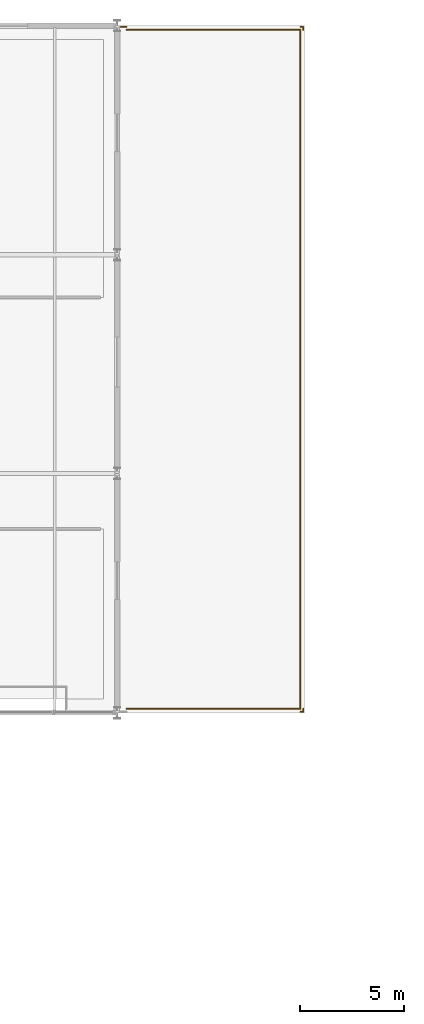
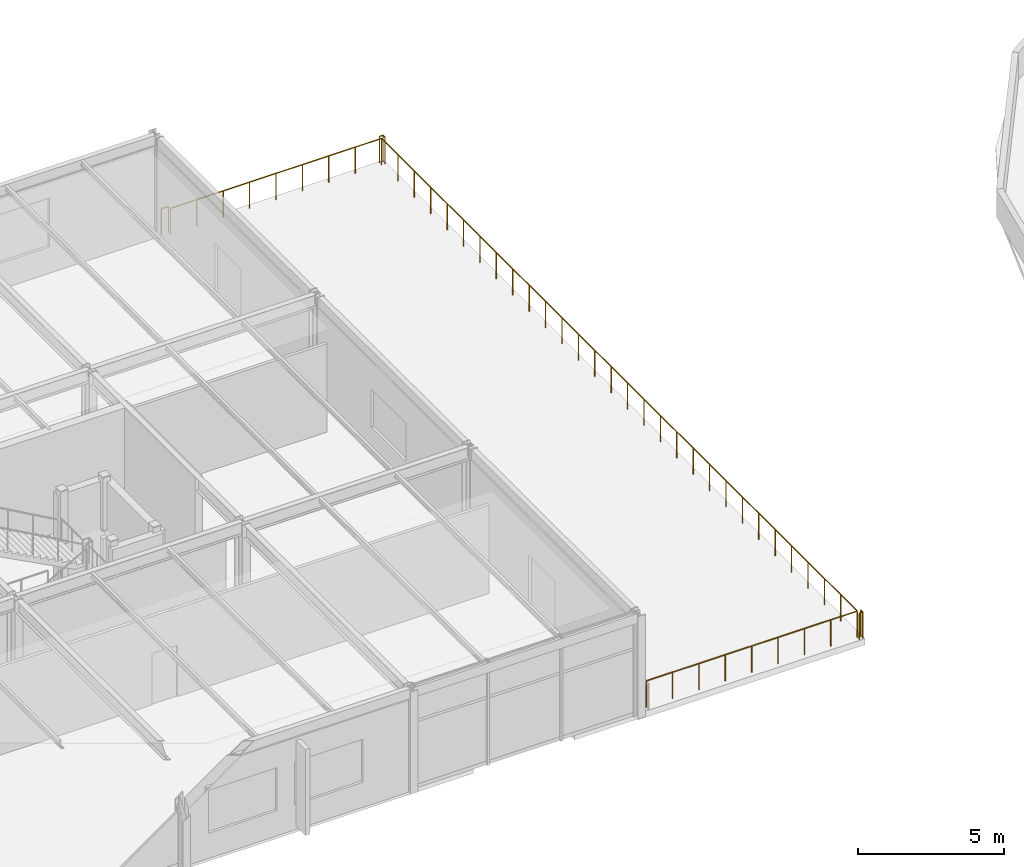
# One storey, part 44 of 44: 5 railings.
"""IFC4 building model written with IfcOpenShell, lengths in metres."""

from ifc_helpers import new_model, si_unit, direction, frame, origin, origin_2d, place, context, subcontext, project, spatial, circle, extrude, material, type_object, element, save


model = new_model("IFC4")

# Units and contexts
model_context = context("Model", 3, precision=1e-05, world=origin(), true_north=direction((0.0, 1.0)))
body_context = subcontext(model_context, "Body", "Model", "MODEL_VIEW")
ifc_project = project(units=[si_unit("LENGTHUNIT", "METRE"), si_unit("AREAUNIT", "SQUARE_METRE"), si_unit("VOLUMEUNIT", "CUBIC_METRE"), si_unit("PLANEANGLEUNIT", "RADIAN"), si_unit("MASSUNIT", "GRAM", prefix="KILO")], contexts=[model_context])

# Site, building, storey
site_placement = place(None, origin())
site = spatial("IfcSite", under=ifc_project, at=site_placement, CompositionType="ELEMENT")
building_placement = place(site_placement, origin())
building = spatial("IfcBuilding", under=site, at=building_placement, Name="Marlcrest Central Station", CompositionType="ELEMENT")
storey_placement = place(building_placement, frame((0.0, 0.0, 19.5)))
storey = spatial("IfcBuildingStorey", under=building, at=storey_placement, Name="L04", CompositionType="ELEMENT", Elevation=19.5)

# Railings
ifc_material = material(Name="Galvanized painted steel balustrade", Category="steel")
railing_type = type_object("IfcRailingType", Name="GR-01", PredefinedType="GUARDRAIL", material=ifc_material)
railing_1_placement = place(storey_placement, frame((63.449951171875, 99.199951171875, 0.0)))
element("IfcRailing", 1, at=railing_1_placement, inside=storey, type_object=railing_type, Name="grd-L04-0003", PredefinedType="GUARDRAIL", context=body_context, shape_type="SweptSolid", body=[
    extrude(circle(Radius=0.02392578125, at=origin_2d()), frame((0.0, 0.0, 1.09619140625), z_axis=(1.0, 0.0, 0.0), x_axis=(0.0, 1.0, 0.0)), (0.0, 0.0, 1.0), 8.35009765625),
    extrude(circle(Radius=0.02392578125, at=origin_2d()), frame((8.35009765625, 0.0, 1.09619140625), z_axis=(0.0, 1.0, 0.0), x_axis=(-1.0, 0.0, 0.0)), (0.0, 0.0, 1.0), 32.60009765625),
    extrude(circle(Radius=0.02392578125, at=origin_2d()), frame((8.35009765625, 32.60009765625, 1.09619140625), z_axis=(-1.0, 0.0, 0.0), x_axis=(0.0, -1.0, 0.0)), (0.0, 0.0, 1.0), 8.35009765625),
    extrude(circle(Radius=0.02099609375, at=origin_2d()), origin(), (0.0, 0.0, 1.0), 1.072021484375),
    extrude(circle(Radius=0.02099609375, at=origin_2d()), frame((1.043701171875, 0.0, 0.0)), (0.0, 0.0, 1.0), 1.072021484375),
    extrude(circle(Radius=0.02099609375, at=origin_2d()), frame((2.08740234375, 0.0, 0.0)), (0.0, 0.0, 1.0), 1.072021484375),
    extrude(circle(Radius=0.02099609375, at=origin_2d()), frame((3.13134765625, 0.0, 0.0)), (0.0, 0.0, 1.0), 1.072021484375),
    extrude(circle(Radius=0.02099609375, at=origin_2d()), frame((4.175048828125, 0.0, 0.0)), (0.0, 0.0, 1.0), 1.072021484375),
    extrude(circle(Radius=0.02099609375, at=origin_2d()), frame((5.21875, 0.0, 0.0)), (0.0, 0.0, 1.0), 1.072021484375),
    extrude(circle(Radius=0.02099609375, at=origin_2d()), frame((6.2626953125, 0.0, 0.0)), (0.0, 0.0, 1.0), 1.072021484375),
    extrude(circle(Radius=0.02099609375, at=origin_2d()), frame((7.306396484375, 0.0, 0.0)), (0.0, 0.0, 1.0), 1.072021484375),
    extrude(circle(Radius=0.02099609375, at=origin_2d()), frame((8.35009765625, 0.0, 0.0)), (0.0, 0.0, 1.0), 1.072021484375),
    extrude(circle(Radius=0.02099609375, at=origin_2d()), frame((8.35009765625, 1.1240234375, 0.0)), (0.0, 0.0, 1.0), 1.072021484375),
    extrude(circle(Radius=0.02099609375, at=origin_2d()), frame((8.35009765625, 2.248291015625, 0.0)), (0.0, 0.0, 1.0), 1.072021484375),
    extrude(circle(Radius=0.02099609375, at=origin_2d()), frame((8.35009765625, 3.372314453125, 0.0)), (0.0, 0.0, 1.0), 1.072021484375),
    extrude(circle(Radius=0.02099609375, at=origin_2d()), frame((8.35009765625, 4.49658203125, 0.0)), (0.0, 0.0, 1.0), 1.072021484375),
    extrude(circle(Radius=0.02099609375, at=origin_2d()), frame((8.35009765625, 5.62060546875, 0.0)), (0.0, 0.0, 1.0), 1.072021484375),
    extrude(circle(Radius=0.02099609375, at=origin_2d()), frame((8.35009765625, 6.744873046875, 0.0)), (0.0, 0.0, 1.0), 1.072021484375),
    extrude(circle(Radius=0.02099609375, at=origin_2d()), frame((8.35009765625, 7.868896484375, 0.0)), (0.0, 0.0, 1.0), 1.072021484375),
    extrude(circle(Radius=0.02099609375, at=origin_2d()), frame((8.35009765625, 8.9931640625, 0.0)), (0.0, 0.0, 1.0), 1.072021484375),
    extrude(circle(Radius=0.02099609375, at=origin_2d()), frame((8.35009765625, 10.1171875, 0.0)), (0.0, 0.0, 1.0), 1.072021484375),
    extrude(circle(Radius=0.02099609375, at=origin_2d()), frame((8.35009765625, 11.241455078125, 0.0)), (0.0, 0.0, 1.0), 1.072021484375),
    extrude(circle(Radius=0.02099609375, at=origin_2d()), frame((8.35009765625, 12.365478515625, 0.0)), (0.0, 0.0, 1.0), 1.072021484375),
    extrude(circle(Radius=0.02099609375, at=origin_2d()), frame((8.35009765625, 13.48974609375, 0.0)), (0.0, 0.0, 1.0), 1.072021484375),
    extrude(circle(Radius=0.02099609375, at=origin_2d()), frame((8.35009765625, 14.61376953125, 0.0)), (0.0, 0.0, 1.0), 1.072021484375),
    extrude(circle(Radius=0.02099609375, at=origin_2d()), frame((8.35009765625, 15.738037109375, 0.0)), (0.0, 0.0, 1.0), 1.072021484375),
    extrude(circle(Radius=0.02099609375, at=origin_2d()), frame((8.35009765625, 16.862060546875, 0.0)), (0.0, 0.0, 1.0), 1.072021484375),
    extrude(circle(Radius=0.02099609375, at=origin_2d()), frame((8.35009765625, 17.986328125, 0.0)), (0.0, 0.0, 1.0), 1.072021484375),
    extrude(circle(Radius=0.02099609375, at=origin_2d()), frame((8.35009765625, 19.1103515625, 0.0)), (0.0, 0.0, 1.0), 1.072021484375),
    extrude(circle(Radius=0.02099609375, at=origin_2d()), frame((8.35009765625, 20.234619140625, 0.0)), (0.0, 0.0, 1.0), 1.072021484375),
    extrude(circle(Radius=0.02099609375, at=origin_2d()), frame((8.35009765625, 21.358642578125, 0.0)), (0.0, 0.0, 1.0), 1.072021484375),
    extrude(circle(Radius=0.02099609375, at=origin_2d()), frame((8.35009765625, 22.48291015625, 0.0)), (0.0, 0.0, 1.0), 1.072021484375),
    extrude(circle(Radius=0.02099609375, at=origin_2d()), frame((8.35009765625, 23.60693359375, 0.0)), (0.0, 0.0, 1.0), 1.072021484375),
    extrude(circle(Radius=0.02099609375, at=origin_2d()), frame((8.35009765625, 24.731201171875, 0.0)), (0.0, 0.0, 1.0), 1.072021484375),
    extrude(circle(Radius=0.02099609375, at=origin_2d()), frame((8.35009765625, 25.855224609375, 0.0)), (0.0, 0.0, 1.0), 1.072021484375),
    extrude(circle(Radius=0.02099609375, at=origin_2d()), frame((8.35009765625, 26.9794921875, 0.0)), (0.0, 0.0, 1.0), 1.072021484375),
    extrude(circle(Radius=0.02099609375, at=origin_2d()), frame((8.35009765625, 28.103515625, 0.0)), (0.0, 0.0, 1.0), 1.072021484375),
    extrude(circle(Radius=0.02099609375, at=origin_2d()), frame((8.35009765625, 29.227783203125, 0.0)), (0.0, 0.0, 1.0), 1.072021484375),
    extrude(circle(Radius=0.02099609375, at=origin_2d()), frame((8.35009765625, 30.351806640625, 0.0)), (0.0, 0.0, 1.0), 1.072021484375),
    extrude(circle(Radius=0.02099609375, at=origin_2d()), frame((8.35009765625, 31.47607421875, 0.0)), (0.0, 0.0, 1.0), 1.072021484375),
    extrude(circle(Radius=0.02099609375, at=origin_2d()), frame((8.35009765625, 32.60009765625, 0.0)), (0.0, 0.0, 1.0), 1.072021484375),
    extrude(circle(Radius=0.02099609375, at=origin_2d()), frame((7.306396484375, 32.60009765625, 0.0)), (0.0, 0.0, 1.0), 1.072021484375),
    extrude(circle(Radius=0.02099609375, at=origin_2d()), frame((6.2626953125, 32.60009765625, 0.0)), (0.0, 0.0, 1.0), 1.072021484375),
    extrude(circle(Radius=0.02099609375, at=origin_2d()), frame((5.21875, 32.60009765625, 0.0)), (0.0, 0.0, 1.0), 1.072021484375),
    extrude(circle(Radius=0.02099609375, at=origin_2d()), frame((4.175048828125, 32.60009765625, 0.0)), (0.0, 0.0, 1.0), 1.072021484375),
    extrude(circle(Radius=0.02099609375, at=origin_2d()), frame((3.13134765625, 32.60009765625, 0.0)), (0.0, 0.0, 1.0), 1.072021484375),
    extrude(circle(Radius=0.02099609375, at=origin_2d()), frame((2.08740234375, 32.60009765625, 0.0)), (0.0, 0.0, 1.0), 1.072021484375),
    extrude(circle(Radius=0.02099609375, at=origin_2d()), frame((1.043701171875, 32.60009765625, 0.0)), (0.0, 0.0, 1.0), 1.072021484375),
    extrude(circle(Radius=0.02099609375, at=origin_2d()), frame((0.0, 32.60009765625, 0.0)), (0.0, 0.0, 1.0), 1.072021484375),
])
railing_2_placement = place(storey_placement, frame((71.93994140625, 131.93994140625, 0.0)))
element("IfcRailing", 2, at=railing_2_placement, inside=storey, type_object=railing_type, Name="hr-L04-00326", PredefinedType="GUARDRAIL", context=body_context, shape_type="SweptSolid", body=[
    extrude(circle(Radius=0.02392578125, at=origin_2d()), frame((0.0, 0.0, 1.09619140625), z_axis=(0.0, -1.0, 0.0), x_axis=(1.0, 0.0, 0.0)), (0.0, 0.0, 1.0), 0.139892578125),
    extrude(circle(Radius=0.02099609375, at=origin_2d()), origin(), (0.0, 0.0, 1.0), 1.072021484375),
    extrude(circle(Radius=0.02099609375, at=origin_2d()), frame((0.0, -0.139892578125, 0.0)), (0.0, 0.0, 1.0), 1.072021484375),
])
railing_3_placement = place(storey_placement, frame((71.93994140625, 99.199951171875, 0.0)))
element("IfcRailing", 3, at=railing_3_placement, inside=storey, type_object=railing_type, Name="hr-L04-00327", PredefinedType="GUARDRAIL", context=body_context, shape_type="SweptSolid", body=[
    extrude(circle(Radius=0.02392578125, at=origin_2d()), frame((0.0, 0.0, 1.09619140625), z_axis=(0.0, -1.0, 0.0), x_axis=(1.0, 0.0, 0.0)), (0.0, 0.0, 1.0), 0.139892578125),
    extrude(circle(Radius=0.02392578125, at=origin_2d()), frame((0.0, -0.139892578125, 1.09619140625), z_axis=(-1.0, 0.0, 0.0), x_axis=(0.0, -1.0, 0.0)), (0.0, 0.0, 1.0), 0.139892578125),
    extrude(circle(Radius=0.02099609375, at=origin_2d()), origin(), (0.0, 0.0, 1.0), 1.072021484375),
    extrude(circle(Radius=0.02099609375, at=origin_2d()), frame((0.0, -0.139892578125, 0.0)), (0.0, 0.0, 1.0), 1.072021484375),
    extrude(circle(Radius=0.02099609375, at=origin_2d()), frame((-0.139892578125, -0.139892578125, 0.0)), (0.0, 0.0, 1.0), 1.072021484375),
])
railing_4_placement = place(storey_placement, frame((63.1630859375, 131.93994140625, 0.0)))
element("IfcRailing", 4, at=railing_4_placement, inside=storey, type_object=railing_type, Name="hr-L04-00329", PredefinedType="GUARDRAIL", context=body_context, shape_type="SweptSolid", body=[
    extrude(circle(Radius=0.02392578125, at=origin_2d()), frame((0.0, 0.0, 1.09619140625), z_axis=(1.0, 0.0, 0.0), x_axis=(0.0, 1.0, 0.0)), (0.0, 0.0, 1.0), 0.286865234375),
    extrude(circle(Radius=0.02099609375, at=origin_2d()), origin(), (0.0, 0.0, 1.0), 1.072021484375),
    extrude(circle(Radius=0.02099609375, at=origin_2d()), frame((0.286865234375, 0.0, 0.0)), (0.0, 0.0, 1.0), 1.072021484375),
])
railing_5_placement = place(storey_placement, frame((71.800048828125, 131.93994140625, 0.0)))
element("IfcRailing", 5, at=railing_5_placement, inside=storey, type_object=railing_type, Name="hr-L04-00330", PredefinedType="GUARDRAIL", context=body_context, shape_type="SweptSolid", body=[
    extrude(circle(Radius=0.02392578125, at=origin_2d()), frame((0.0, 0.0, 1.09619140625), z_axis=(1.0, 0.0, 0.0), x_axis=(0.0, 1.0, 0.0)), (0.0, 0.0, 1.0), 0.139892578125),
    extrude(circle(Radius=0.02099609375, at=origin_2d()), origin(), (0.0, 0.0, 1.0), 1.072021484375),
    extrude(circle(Radius=0.02099609375, at=origin_2d()), frame((0.139892578125, 0.0, 0.0)), (0.0, 0.0, 1.0), 1.072021484375),
])

save(model, "model.ifc")
